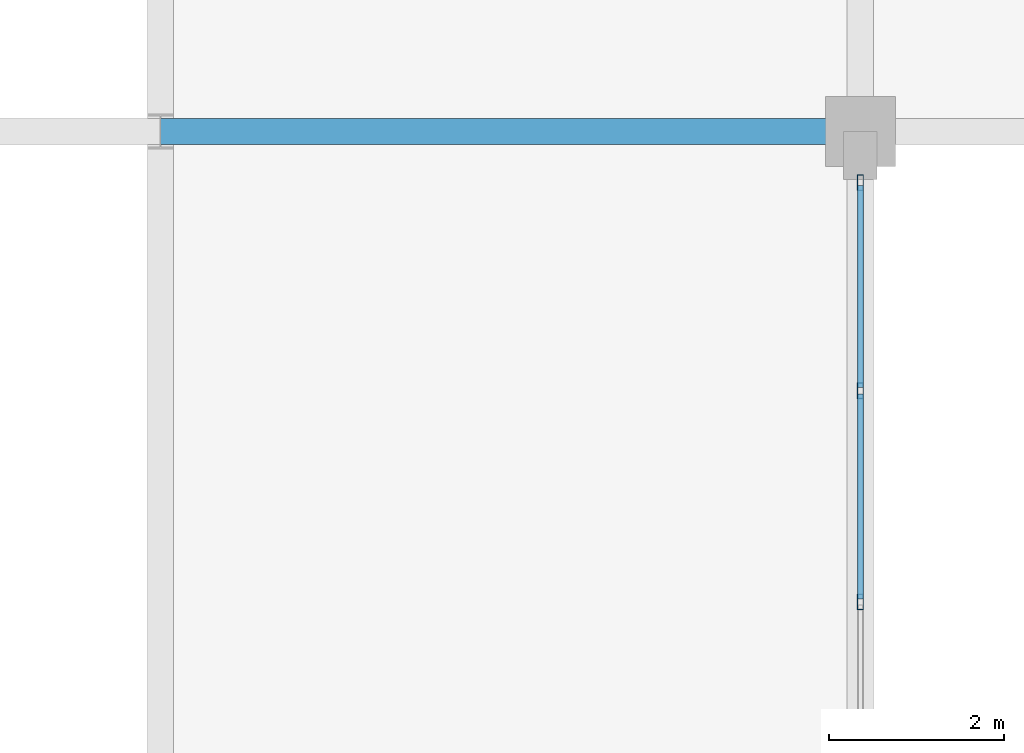
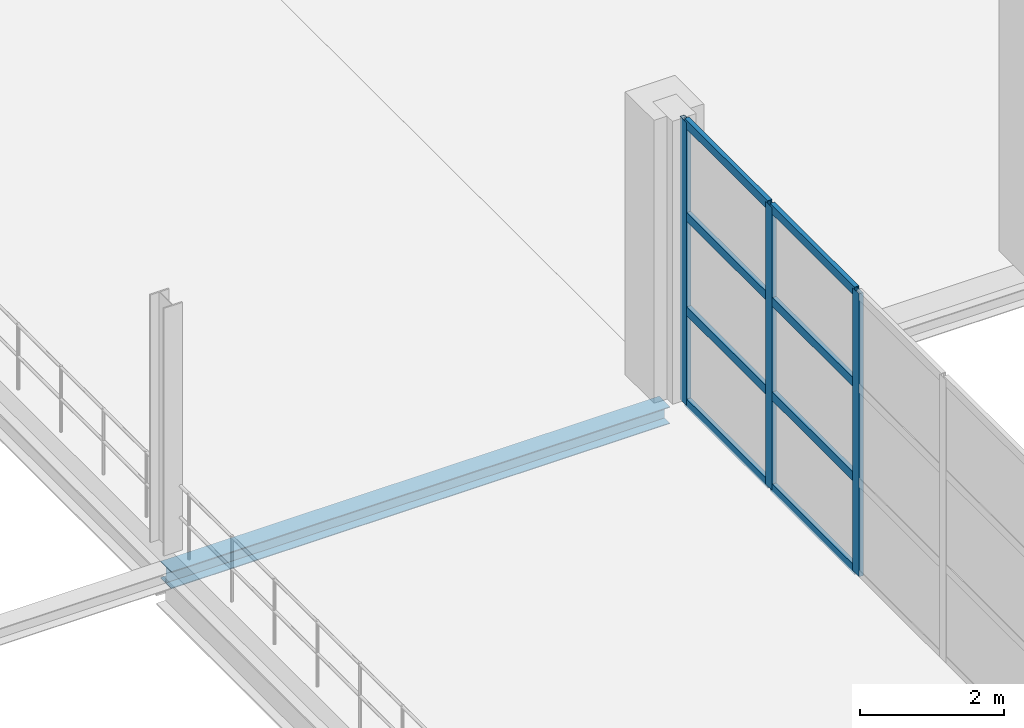
# One storey, part 58 of 147: 11 members, 1 beam, 1 element without a shape of its own.
"""IFC4 building model written with IfcOpenShell, lengths in metres."""

from ifc_helpers import new_model, si_unit, direction, frame, origin, origin_2d, place, context, subcontext, project, spatial, hollow_rectangle, i_section, extrude, material, layer, layer_set, material_profile, profile_set, type_object, element, aggregate, save


model = new_model("IFC4")

# Units and contexts
model_context = context("Model", 3, precision=1e-05, world=origin(), true_north=direction((0.0, 1.0)))
body_context = subcontext(model_context, "Body", "Model", "MODEL_VIEW")
ifc_project = project(units=[si_unit("LENGTHUNIT", "METRE"), si_unit("AREAUNIT", "SQUARE_METRE"), si_unit("VOLUMEUNIT", "CUBIC_METRE"), si_unit("PLANEANGLEUNIT", "RADIAN"), si_unit("MASSUNIT", "GRAM", prefix="KILO")], contexts=[model_context])

# Site, building, storey
site_placement = place(None, origin())
site = spatial("IfcSite", under=ifc_project, at=site_placement, CompositionType="ELEMENT")
building_placement = place(site_placement, origin())
building = spatial("IfcBuilding", under=site, at=building_placement, Name="Zilviju Railside Exhibition Hall", CompositionType="ELEMENT")
storey_placement = place(building_placement, frame((0.0, 0.0, 8.39990234375)))
storey = spatial("IfcBuildingStorey", under=building, at=storey_placement, Name="L03", CompositionType="ELEMENT", Elevation=8.39990234375)

# Beam
ifc_material_1 = material(Name="Steel S355J2", Category="steel")
ifc_material_profile_1 = material_profile(ifc_material_1, i_section(OverallWidth=0.300048828125, OverallDepth=0.2900390625, WebThickness=0.008544921875, FlangeThickness=0.013916015625, at=origin_2d()), Name="HEA 300")
ifc_profile_set_1 = profile_set([ifc_material_profile_1], Name="Steel S355J2")
beam_type = type_object("IfcBeamType", Name="BM-HEA300", PredefinedType="SPANDREL", material=ifc_profile_set_1)
beam_placement = place(storey_placement, frame((70.0, 54.0, -0.494873046875), z_axis=(1.0, 0.0, 0.0), x_axis=(0.0, 1.0, 0.0)))
element("IfcBeam", 1, at=beam_placement, inside=storey, type_object=beam_type, Name="Primary Girder L03 Y=54.0 (70.0..78.0)", PredefinedType="SPANDREL", context=body_context, shape_type="SweptSolid", body=[
    extrude(i_section(OverallWidth=0.300048828125, OverallDepth=0.2900390625, WebThickness=0.008544921875, FlangeThickness=0.013916015625, at=origin_2d()), origin(), (0.0, 0.0, 1.0), 8.0),
])

# Curtain wall, members
ifc_material_2 = material(Name="Thermally broken aluminium-steel triple-glazed curtain wall", Category="steel")
ifc_layer = layer(ifc_material_2, 0.179931640625)
ifc_layer_set = layer_set([ifc_layer], Name="Thermally broken aluminium-steel triple-glazed curtain wall")
curtain_wall_type = type_object("IfcCurtainWallType", Name="CW-BAY-01", PredefinedType="USERDEFINED", material=ifc_layer_set)
curtain_wall_placement = place(storey_placement, origin())
curtain_wall = element("IfcCurtainWall", 2, at=curtain_wall_placement, inside=storey, type_object=curtain_wall_type, Name="South Hall West Upper Glazed Gable (36..54)", ObjectType="GLAZED CURTAIN WALL", PredefinedType="USERDEFINED")
ifc_material_3 = material(Name="Thermally broken anodized aluminium mullion", Category="aluminium")
ifc_material_profile_2 = material_profile(ifc_material_3, hollow_rectangle(XDim=0.070068359375, YDim=0.179931640625, WallThickness=0.0048828125, at=origin_2d()), Name="MULLION 180x70x5")
ifc_profile_set_2 = profile_set([ifc_material_profile_2], Name="Thermally broken anodized aluminium mullion")
member_type_1 = type_object("IfcMemberType", Name="CWM-70x180", PredefinedType="MULLION", material=ifc_profile_set_2)
member_1_placement = place(storey_placement, frame((78.0, 48.621337890625, 0.0), z_axis=(0.0, 0.0, 1.0), x_axis=(-1.0, 0.0, 0.0)))
member_1 = element("IfcMember", 3, at=member_1_placement, type_object=member_type_1, Name="CW-01 mullion 6", PredefinedType="MULLION", context=body_context, shape_type="SweptSolid", body=[
    extrude(hollow_rectangle(XDim=0.070068359375, YDim=0.179931640625, WallThickness=0.0048828125, at=origin_2d()), origin(), (0.0, 0.0, 1.0), 4.800048828125),
])
member_2_placement = place(storey_placement, frame((78.0, 51.03564453125, 0.0), z_axis=(0.0, 0.0, 1.0), x_axis=(-1.0, 0.0, 0.0)))
member_2 = element("IfcMember", 4, at=member_2_placement, type_object=member_type_1, Name="CW-01 mullion 7", PredefinedType="MULLION", context=body_context, shape_type="SweptSolid", body=[
    extrude(hollow_rectangle(XDim=0.070068359375, YDim=0.179931640625, WallThickness=0.0048828125, at=origin_2d()), origin(), (0.0, 0.0, 1.0), 4.800048828125),
])
member_3_placement = place(storey_placement, frame((78.0, 53.4150390625, 0.0), z_axis=(0.0, 0.0, 1.0), x_axis=(-1.0, 0.0, 0.0)))
member_3 = element("IfcMember", 5, at=member_3_placement, type_object=member_type_1, Name="CW-01 mullion 8", PredefinedType="MULLION", context=body_context, shape_type="SweptSolid", body=[
    extrude(hollow_rectangle(XDim=0.070068359375, YDim=0.179931640625, WallThickness=0.0048828125, at=origin_2d()), origin(), (0.0, 0.0, 1.0), 4.800048828125),
])
ifc_material_4 = material(Name="Thermally broken anodized aluminium transom", Category="aluminium")
ifc_material_profile_3 = material_profile(ifc_material_4, hollow_rectangle(XDim=0.070068359375, YDim=0.14990234375, WallThickness=0.0048828125, at=origin_2d()), Name="TRANSOM 150x70x5")
ifc_profile_set_3 = profile_set([ifc_material_profile_3], Name="Thermally broken anodized aluminium transom")
member_type_2 = type_object("IfcMemberType", Name="CWT-70x150", PredefinedType="USERDEFINED", material=ifc_profile_set_3)
member_4_placement = place(storey_placement, frame((78.0, 48.656494140625, 0.03515625), z_axis=(0.0, 1.0, 0.0), x_axis=(-1.0, 0.0, 0.0)))
member_4 = element("IfcMember", 6, at=member_4_placement, type_object=member_type_2, Name="CW-01 transom 6.1", ObjectType="TRANSOM", PredefinedType="USERDEFINED", context=body_context, shape_type="SweptSolid", body=[
    extrude(hollow_rectangle(XDim=0.070068359375, YDim=0.14990234375, WallThickness=0.0048828125, at=origin_2d()), origin(), (0.0, 0.0, 1.0), 2.34423828125),
])
member_5_placement = place(storey_placement, frame((78.0, 48.656494140625, 1.60009765625), z_axis=(0.0, 1.0, 0.0), x_axis=(-1.0, 0.0, 0.0)))
member_5 = element("IfcMember", 7, at=member_5_placement, type_object=member_type_2, Name="CW-01 transom 6.2", ObjectType="TRANSOM", PredefinedType="USERDEFINED", context=body_context, shape_type="SweptSolid", body=[
    extrude(hollow_rectangle(XDim=0.070068359375, YDim=0.14990234375, WallThickness=0.0048828125, at=origin_2d()), origin(), (0.0, 0.0, 1.0), 2.34423828125),
])
member_6_placement = place(storey_placement, frame((78.0, 48.656494140625, 3.2001953125), z_axis=(0.0, 1.0, 0.0), x_axis=(-1.0, 0.0, 0.0)))
member_6 = element("IfcMember", 8, at=member_6_placement, type_object=member_type_2, Name="CW-01 transom 6.3", ObjectType="TRANSOM", PredefinedType="USERDEFINED", context=body_context, shape_type="SweptSolid", body=[
    extrude(hollow_rectangle(XDim=0.070068359375, YDim=0.14990234375, WallThickness=0.0048828125, at=origin_2d()), origin(), (0.0, 0.0, 1.0), 2.34423828125),
])
member_7_placement = place(storey_placement, frame((78.0, 48.656494140625, 4.76513671875), z_axis=(0.0, 1.0, 0.0), x_axis=(-1.0, 0.0, 0.0)))
member_7 = element("IfcMember", 9, at=member_7_placement, type_object=member_type_2, Name="CW-01 transom 6.4", ObjectType="TRANSOM", PredefinedType="USERDEFINED", context=body_context, shape_type="SweptSolid", body=[
    extrude(hollow_rectangle(XDim=0.070068359375, YDim=0.14990234375, WallThickness=0.0048828125, at=origin_2d()), origin(), (0.0, 0.0, 1.0), 2.34423828125),
])
member_8_placement = place(storey_placement, frame((78.0, 51.07080078125, 0.03515625), z_axis=(0.0, 1.0, 0.0), x_axis=(-1.0, 0.0, 0.0)))
member_8 = element("IfcMember", 10, at=member_8_placement, type_object=member_type_2, Name="CW-01 transom 7.1", ObjectType="TRANSOM", PredefinedType="USERDEFINED", context=body_context, shape_type="SweptSolid", body=[
    extrude(hollow_rectangle(XDim=0.070068359375, YDim=0.14990234375, WallThickness=0.0048828125, at=origin_2d()), origin(), (0.0, 0.0, 1.0), 2.30908203125),
])
member_9_placement = place(storey_placement, frame((78.0, 51.07080078125, 1.60009765625), z_axis=(0.0, 1.0, 0.0), x_axis=(-1.0, 0.0, 0.0)))
member_9 = element("IfcMember", 11, at=member_9_placement, type_object=member_type_2, Name="CW-01 transom 7.2", ObjectType="TRANSOM", PredefinedType="USERDEFINED", context=body_context, shape_type="SweptSolid", body=[
    extrude(hollow_rectangle(XDim=0.070068359375, YDim=0.14990234375, WallThickness=0.0048828125, at=origin_2d()), origin(), (0.0, 0.0, 1.0), 2.30908203125),
])
member_10_placement = place(storey_placement, frame((78.0, 51.07080078125, 3.2001953125), z_axis=(0.0, 1.0, 0.0), x_axis=(-1.0, 0.0, 0.0)))
member_10 = element("IfcMember", 12, at=member_10_placement, type_object=member_type_2, Name="CW-01 transom 7.3", ObjectType="TRANSOM", PredefinedType="USERDEFINED", context=body_context, shape_type="SweptSolid", body=[
    extrude(hollow_rectangle(XDim=0.070068359375, YDim=0.14990234375, WallThickness=0.0048828125, at=origin_2d()), origin(), (0.0, 0.0, 1.0), 2.30908203125),
])
member_11_placement = place(storey_placement, frame((78.0, 51.07080078125, 4.76513671875), z_axis=(0.0, 1.0, 0.0), x_axis=(-1.0, 0.0, 0.0)))
member_11 = element("IfcMember", 13, at=member_11_placement, type_object=member_type_2, Name="CW-01 transom 7.4", ObjectType="TRANSOM", PredefinedType="USERDEFINED", context=body_context, shape_type="SweptSolid", body=[
    extrude(hollow_rectangle(XDim=0.070068359375, YDim=0.14990234375, WallThickness=0.0048828125, at=origin_2d()), origin(), (0.0, 0.0, 1.0), 2.30908203125),
])
aggregate(curtain_wall, [member_1, member_2, member_3, member_4, member_5, member_6, member_7, member_8, member_9, member_10, member_11])

save(model, "model.ifc")
